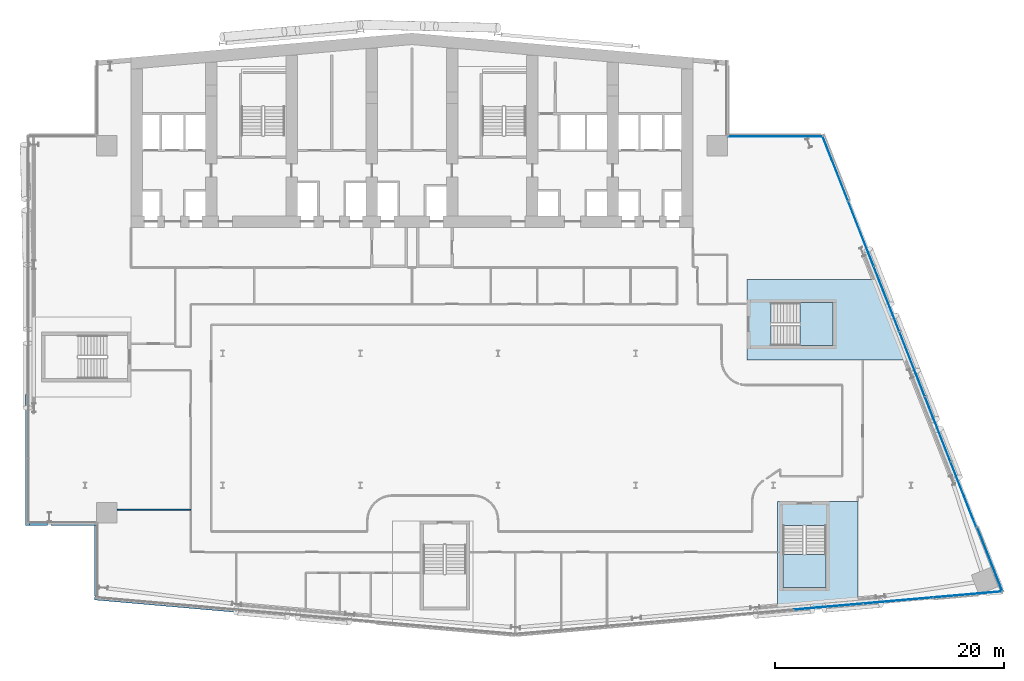
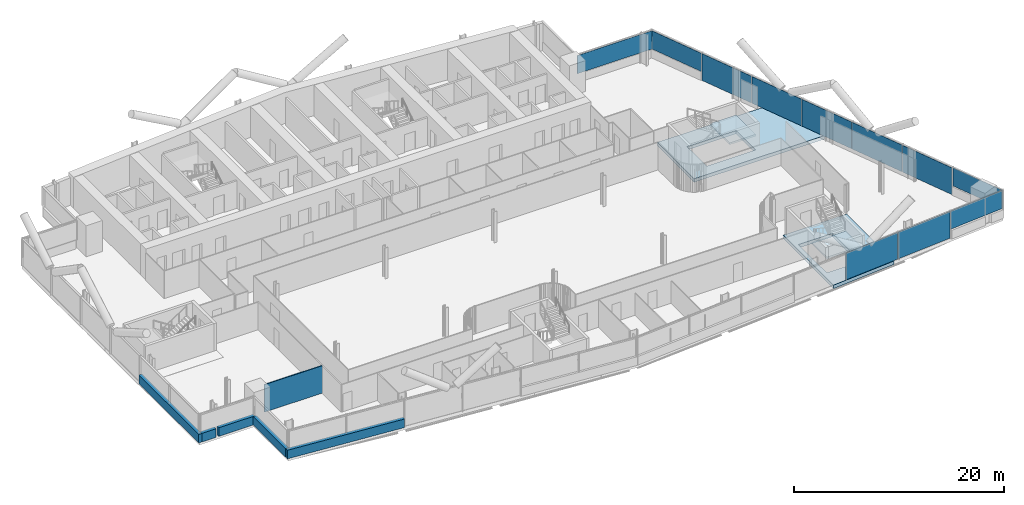
# One storey, part 13 of 31: 11 plates, 6 walls, 4 slabs, 5 elements without a shape of their own.
"""IFC4 building model written with IfcOpenShell, lengths in metres."""

from ifc_helpers import new_model, si_unit, direction, frame, frame_2d, origin, origin_2d, place, context, subcontext, project, spatial, polyline, rectangle, outline, extrude, material, layer, layer_set, type_object, element, aggregate, save


model = new_model("IFC4")

# Units and contexts
model_context = context("Model", 3, precision=1e-05, world=origin(), true_north=direction((0.0, 1.0)))
body_context = subcontext(model_context, "Body", "Model", "MODEL_VIEW")
ifc_project = project(units=[si_unit("LENGTHUNIT", "METRE"), si_unit("AREAUNIT", "SQUARE_METRE"), si_unit("VOLUMEUNIT", "CUBIC_METRE"), si_unit("PLANEANGLEUNIT", "RADIAN"), si_unit("MASSUNIT", "GRAM", prefix="KILO")], contexts=[model_context])

# Site, building, storey
site_placement = place(None, origin())
site = spatial("IfcSite", under=ifc_project, at=site_placement, CompositionType="ELEMENT")
building_placement = place(site_placement, origin())
building = spatial("IfcBuilding", under=site, at=building_placement, Name="Wharfspan Tower", CompositionType="ELEMENT")
storey_placement = place(building_placement, frame((0.0, 0.0, 103.899902)))
storey = spatial("IfcBuildingStorey", under=building, at=storey_placement, Name="L23", CompositionType="ELEMENT", Elevation=103.899902)

# Curtain wall, plate
ifc_material_1 = material(Name="Aluminium 6063-T6", Category="aluminium")
curtain_wall_type_1 = type_object("IfcCurtainWallType", Name="CURTAIN WALL FACETED FRONT", PredefinedType="NOTDEFINED", material=ifc_material_1)
curtain_wall_1_placement = place(storey_placement, origin())
curtain_wall_1 = element("IfcCurtainWall", 1, at=curtain_wall_1_placement, inside=storey, type_object=curtain_wall_type_1, Name="Curtain wall S2", PredefinedType="NOTDEFINED")
ifc_material_2 = material(Name="Glass clear low-iron double glazing", Category="glass")
ifc_layer_1 = layer(ifc_material_2, 0.040039)
ifc_layer_set_1 = layer_set([ifc_layer_1], Name="Glass clear low-iron double glazing")
plate_type_1 = type_object("IfcPlateType", Name="GLASS PANEL FACETED FRONT 40", PredefinedType="CURTAIN_PANEL", material=ifc_layer_set_1)
plate_1_placement = place(storey_placement, frame((88.944092, 1.99292, 1.0), z_axis=(0.0, 0.0, 1.0), x_axis=(0.996198, 0.087156, 0.0)))
plate_1 = element("IfcPlate", 2, at=plate_1_placement, type_object=plate_type_1, Name="Curtain wall S2 panel 7", PredefinedType="CURTAIN_PANEL", context=body_context, shape_type="SweptSolid", body=[
    extrude(rectangle(XDim=6.004639, YDim=0.040039, at=origin_2d()), origin(), (0.0, 0.0, 1.0), 2.120117),
])

# Curtain wall, plates
curtain_wall_type_2 = type_object("IfcCurtainWallType", Name="CURTAIN WALL PROW AND END", PredefinedType="NOTDEFINED", material=ifc_material_1)
curtain_wall_2_placement = place(storey_placement, origin())
curtain_wall_2 = element("IfcCurtainWall", 3, at=curtain_wall_2_placement, inside=storey, type_object=curtain_wall_type_2, Name="Curtain wall E", PredefinedType="NOTDEFINED")
ifc_layer_2 = layer(ifc_material_2, 0.040039)
ifc_layer_set_2 = layer_set([ifc_layer_2], Name="Glass clear low-iron double glazing")
plate_type_2 = type_object("IfcPlateType", Name="GLASS PANEL PROW AND END 40", PredefinedType="CURTAIN_PANEL", material=ifc_layer_set_2)
plate_2_placement = place(storey_placement, frame((90.877197, 5.056885, 1.0), z_axis=(0.0, 0.0, 1.0), x_axis=(-0.365778, 0.930702, 0.0)))
plate_2 = element("IfcPlate", 4, at=plate_2_placement, type_object=plate_type_2, Name="Curtain wall E panel 1", PredefinedType="CURTAIN_PANEL", context=body_context, shape_type="SweptSolid", body=[
    extrude(rectangle(XDim=6.019043, YDim=0.040039, at=origin_2d()), origin(), (0.0, 0.0, 1.0), 2.120117),
])
plate_3_placement = place(storey_placement, frame((77.406494, 39.114014, 1.0), z_axis=(0.0, 0.0, 1.0), x_axis=(-0.365778, 0.930702, 0.0)))
plate_3 = element("IfcPlate", 5, at=plate_3_placement, type_object=plate_type_2, Name="Curtain wall E panel 7", PredefinedType="CURTAIN_PANEL", context=body_context, shape_type="SweptSolid", body=[
    extrude(rectangle(XDim=6.019043, YDim=0.040039, at=origin_2d()), origin(), (0.0, 0.0, 1.0), 2.120117),
])

# Curtain wall, plate
curtain_wall_3_placement = place(storey_placement, origin())
curtain_wall_3 = element("IfcCurtainWall", 6, at=curtain_wall_3_placement, inside=storey, type_object=curtain_wall_type_2, Name="Curtain wall NRE-H", PredefinedType="NOTDEFINED")
plate_4_placement = place(storey_placement, frame((72.178955, 41.919922, 1.0), z_axis=(0.0, 0.0, 1.0), x_axis=(-1.0, 0.0, 0.0)))
plate_4 = element("IfcPlate", 7, at=plate_4_placement, type_object=plate_type_2, Name="Curtain wall NRE-H panel 1", PredefinedType="CURTAIN_PANEL", context=body_context, shape_type="SweptSolid", body=[
    extrude(rectangle(XDim=8.238037, YDim=0.040039, at=origin_2d()), origin(), (0.0, 0.0, 1.0), 2.120117),
])
aggregate(curtain_wall_3, [plate_4])

# Plate
ifc_material_3 = material(Name="Aluminium composite opaque insulated panel", Category="aluminium")
ifc_layer_3 = layer(ifc_material_3, 0.040039)
ifc_layer_set_3 = layer_set([ifc_layer_3], Name="Aluminium composite opaque insulated panel")
plate_type_3 = type_object("IfcPlateType", Name="INFILL PANEL FACETED FRONT OPAQUE 40", PredefinedType="SHEET", material=ifc_layer_set_3)
plate_5_placement = place(storey_placement, frame((76.816162, 0.931885, 0.0), z_axis=(0.0, 0.0, 1.0), x_axis=(0.996198, 0.087156, 0.0)))
plate_5 = element("IfcPlate", 8, at=plate_5_placement, type_object=plate_type_3, Name="Curtain wall S2 panel 5", PredefinedType="SHEET", context=body_context, shape_type="SweptSolid", body=[
    extrude(rectangle(XDim=6.034668, YDim=0.040039, at=origin_2d()), origin(), (0.0, 0.0, 1.0), 3.120117),
])

plate_6_placement = place(storey_placement, frame((82.887695, 1.462891, 0.0), z_axis=(0.0, 0.0, 1.0), x_axis=(0.996198, 0.087156, 0.0)))
plate_6 = element("IfcPlate", 9, at=plate_6_placement, type_object=plate_type_3, Name="Curtain wall S2 panel 6", PredefinedType="SHEET", context=body_context, shape_type="SweptSolid", body=[
    extrude(rectangle(XDim=6.034668, YDim=0.040039, at=origin_2d()), origin(), (0.0, 0.0, 1.0), 3.120117),
])

aggregate(curtain_wall_1, [plate_5, plate_6, plate_1])

ifc_layer_4 = layer(ifc_material_3, 0.040039)
ifc_layer_set_4 = layer_set([ifc_layer_4], Name="Aluminium composite opaque insulated panel")
plate_type_4 = type_object("IfcPlateType", Name="INFILL PANEL PROW AND END OPAQUE 40", PredefinedType="SHEET", material=ifc_layer_set_4)
plate_7_placement = place(storey_placement, frame((88.57373, 10.699219, 0.0), z_axis=(0.0, 0.0, 1.0), x_axis=(-0.365778, 0.930702, 0.0)))
plate_7 = element("IfcPlate", 10, at=plate_7_placement, type_object=plate_type_4, Name="Curtain wall E panel 2", PredefinedType="SHEET", context=body_context, shape_type="SweptSolid", body=[
    extrude(rectangle(XDim=6.049072, YDim=0.040039, at=origin_2d()), origin(), (0.0, 0.0, 1.0), 3.120117),
])

plate_8_placement = place(storey_placement, frame((86.339111, 16.38501, 0.0), z_axis=(0.0, 0.0, 1.0), x_axis=(-0.365778, 0.930702, 0.0)))
plate_8 = element("IfcPlate", 11, at=plate_8_placement, type_object=plate_type_4, Name="Curtain wall E panel 3", PredefinedType="SHEET", context=body_context, shape_type="SweptSolid", body=[
    extrude(rectangle(XDim=6.049072, YDim=0.040039, at=origin_2d()), origin(), (0.0, 0.0, 1.0), 3.120117),
])

plate_9_placement = place(storey_placement, frame((84.104492, 22.070801, 0.0), z_axis=(0.0, 0.0, 1.0), x_axis=(-0.365778, 0.930702, 0.0)))
plate_9 = element("IfcPlate", 12, at=plate_9_placement, type_object=plate_type_4, Name="Curtain wall E panel 4", PredefinedType="SHEET", context=body_context, shape_type="SweptSolid", body=[
    extrude(rectangle(XDim=6.049072, YDim=0.040039, at=origin_2d()), origin(), (0.0, 0.0, 1.0), 3.120117),
])

plate_10_placement = place(storey_placement, frame((81.870117, 27.756348, 0.0), z_axis=(0.0, 0.0, 1.0), x_axis=(-0.365778, 0.930702, 0.0)))
plate_10 = element("IfcPlate", 13, at=plate_10_placement, type_object=plate_type_4, Name="Curtain wall E panel 5", PredefinedType="SHEET", context=body_context, shape_type="SweptSolid", body=[
    extrude(rectangle(XDim=6.049072, YDim=0.040039, at=origin_2d()), origin(), (0.0, 0.0, 1.0), 3.120117),
])

plate_11_placement = place(storey_placement, frame((79.635498, 33.442139, 0.0), z_axis=(0.0, 0.0, 1.0), x_axis=(-0.365778, 0.930702, 0.0)))
plate_11 = element("IfcPlate", 14, at=plate_11_placement, type_object=plate_type_4, Name="Curtain wall E panel 6", PredefinedType="SHEET", context=body_context, shape_type="SweptSolid", body=[
    extrude(rectangle(XDim=6.049072, YDim=0.040039, at=origin_2d()), origin(), (0.0, 0.0, 1.0), 3.120117),
])

aggregate(curtain_wall_2, [plate_2, plate_7, plate_8, plate_9, plate_10, plate_11, plate_3])

# Slabs
ifc_material_4 = material(Name="Concrete C40/50", Category="concrete")
ifc_layer_5 = layer(ifc_material_4, 0.399902)
ifc_layer_set_5 = layer_set([ifc_layer_5], Name="Concrete C40/50")
slab_type_1 = type_object("IfcSlabType", Name="Post-tensioned flat slab 400", PredefinedType="FLOOR", material=ifc_layer_set_5)
slab_1_placement = place(storey_placement, frame((0.0, 0.0, -0.400146)))
element("IfcSlab", 15, at=slab_1_placement, inside=storey, type_object=slab_type_1, Name="Core floor slab L23 part 5", PredefinedType="FLOOR", context=body_context, shape_type="SweptSolid", body=[
    extrude(outline(polyline([(79.365967, 10.094727), (76.891113, 10.094727), (72.541016, 10.094727), (72.365967, 10.094727), (72.365967, 0.482178), (79.365967, 1.094727), (79.365967, 10.094727)]), holes=[polyline([(76.591064, 7.996582), (76.591309, 7.996582), (76.591309, 7.996582), (76.591553, 7.996582), (76.591797, 7.996582), (76.591797, 7.996338), (76.592041, 7.996338), (76.592285, 7.996094), (76.592285, 7.996094), (76.592529, 7.99585), (76.592773, 7.99585), (76.592773, 7.995605), (76.593018, 7.995361), (76.593018, 7.995117), (76.593018, 7.995117), (76.593018, 7.994873), (76.593018, 7.994629), (76.593018, 2.594727), (76.593018, 2.594482), (76.593018, 2.594238), (76.593018, 2.593994), (76.593018, 2.593994), (76.592773, 2.59375), (76.592773, 2.593506), (76.592529, 2.593506), (76.592285, 2.593262), (76.592285, 2.593018), (76.592041, 2.593018), (76.591797, 2.593018), (76.591797, 2.592773), (76.591553, 2.592773), (76.591309, 2.592773), (76.591309, 2.592773), (76.591064, 2.592773), (72.841064, 2.592773), (72.84082, 2.592773), (72.840576, 2.592773), (72.840332, 2.592773), (72.840088, 2.592773), (72.840088, 2.593018), (72.839844, 2.593018), (72.8396, 2.593018), (72.8396, 2.593262), (72.8396, 2.593506), (72.839355, 2.593506), (72.839111, 2.59375), (72.839111, 2.593994), (72.839111, 2.593994), (72.839111, 2.594238), (72.839111, 2.594482), (72.839111, 2.594727), (72.839111, 7.994629), (72.839111, 7.994873), (72.839111, 7.995117), (72.839111, 7.995117), (72.839111, 7.995361), (72.839111, 7.995605), (72.839355, 7.99585), (72.8396, 7.99585), (72.8396, 7.996094), (72.8396, 7.996094), (72.839844, 7.996338), (72.840088, 7.996338), (72.840088, 7.996582), (72.840332, 7.996582), (72.840576, 7.996582), (72.84082, 7.996582), (72.841064, 7.996582), (76.591064, 7.996582)])]), origin(), (0.0, 0.0, 1.0), 0.400146),
])
slab_2_placement = place(storey_placement, frame((0.0, 0.0, -0.400146)))
element("IfcSlab", 16, at=slab_2_placement, inside=storey, type_object=slab_type_1, Name="Core floor slab L23 part 6", PredefinedType="FLOOR", context=body_context, shape_type="SweptSolid", body=[
    extrude(outline(polyline([(81.290283, 29.449951), (69.69043, 29.449951), (69.69043, 27.725098), (69.69043, 23.375), (69.69043, 22.449951), (84.041504, 22.449951), (81.290283, 29.449951)]), holes=[polyline([(71.790283, 23.673096), (71.790283, 23.673096), (71.790039, 23.673096), (71.789795, 23.673096), (71.789551, 23.673096), (71.789551, 23.673096), (71.789307, 23.67334), (71.789062, 23.673584), (71.789062, 23.673584), (71.788818, 23.673584), (71.788818, 23.673828), (71.788574, 23.674072), (71.788574, 23.674316), (71.788574, 23.674316), (71.78833, 23.674561), (71.78833, 23.674805), (71.78833, 23.675049), (71.78833, 27.425049), (71.78833, 27.425293), (71.78833, 27.425293), (71.788574, 27.425537), (71.788574, 27.425781), (71.788574, 27.425781), (71.788818, 27.426025), (71.788818, 27.42627), (71.789062, 27.426514), (71.789062, 27.426514), (71.789307, 27.426758), (71.789551, 27.426758), (71.789551, 27.426758), (71.789795, 27.427002), (71.790039, 27.427002), (71.790283, 27.427002), (71.790283, 27.427002), (77.19043, 27.427002), (77.190674, 27.427002), (77.190918, 27.427002), (77.190918, 27.427002), (77.191162, 27.426758), (77.191406, 27.426758), (77.191406, 27.426758), (77.19165, 27.426514), (77.191895, 27.426514), (77.191895, 27.42627), (77.192139, 27.426025), (77.192139, 27.425781), (77.192139, 27.425781), (77.192383, 27.425537), (77.192383, 27.425293), (77.192383, 27.425293), (77.192383, 27.425049), (77.192383, 23.675049), (77.192383, 23.674805), (77.192383, 23.674561), (77.192383, 23.674316), (77.192139, 23.674316), (77.192139, 23.674072), (77.192139, 23.673828), (77.191895, 23.673584), (77.191895, 23.673584), (77.19165, 23.673584), (77.191406, 23.67334), (77.191406, 23.673096), (77.191162, 23.673096), (77.190918, 23.673096), (77.190918, 23.673096), (77.190674, 23.673096), (77.19043, 23.673096), (71.790283, 23.673096)])]), origin(), (0.0, 0.0, 1.0), 0.400146),
])

# Stair, slab
stair_type = type_object("IfcStairType", Name="Half-turn stair 20 risers 180 mm", PredefinedType="HALF_TURN_STAIR", material=ifc_material_4)
stair_1_placement = place(storey_placement, origin())
stair_1 = element("IfcStair", 17, at=stair_1_placement, inside=storey, type_object=stair_type, Name="L23 stair ST5", PredefinedType="HALF_TURN_STAIR")
ifc_layer_6 = layer(ifc_material_4, 0.199951)
ifc_layer_set_6 = layer_set([ifc_layer_6], Name="Concrete C40/50")
slab_type_2 = type_object("IfcSlabType", Name="Stair landing 200", PredefinedType="LANDING", material=ifc_layer_set_6)
slab_3_placement = place(storey_placement, frame((0.0, 0.0, 1.599854)))
slab_3 = element("IfcSlab", 18, at=slab_3_placement, type_object=slab_type_2, Name="ST5 landing 1", PredefinedType="LANDING", context=body_context, shape_type="SweptSolid", body=[
    extrude(outline(polyline([(72.841064, 5.474609), (72.841064, 2.594727), (76.591064, 2.594727), (76.591064, 5.474609), (72.841064, 5.474609)])), origin(), (0.0, 0.0, 1.0), 0.200195),
])
aggregate(stair_1, [slab_3])

stair_2_placement = place(storey_placement, origin())
stair_2 = element("IfcStair", 19, at=stair_2_placement, inside=storey, type_object=stair_type, Name="L23 stair ST6", PredefinedType="HALF_TURN_STAIR")
slab_4_placement = place(storey_placement, frame((0.0, 0.0, 1.599854)))
slab_4 = element("IfcSlab", 20, at=slab_4_placement, type_object=slab_type_2, Name="ST6 landing 1", PredefinedType="LANDING", context=body_context, shape_type="SweptSolid", body=[
    extrude(outline(polyline([(74.310303, 23.675049), (77.19043, 23.675049), (77.19043, 27.425049), (74.310303, 27.425049), (74.310303, 23.675049)])), origin(), (0.0, 0.0, 1.0), 0.200195),
])
aggregate(stair_2, [slab_4])

# Walls
ifc_material_5 = material(Name="Gypsum board on steel studs", Category="steel")
ifc_layer_7 = layer(ifc_material_5, 0.100098)
ifc_layer_set_7 = layer_set([ifc_layer_7], Name="Gypsum board on steel studs")
wall_type_1 = type_object("IfcWallType", Name="Compartment wall 100 EI 60", PredefinedType="PARTITIONING", material=ifc_layer_set_7)
wall_1_placement = place(storey_placement, frame((14.810059, 9.370117, 0.0), z_axis=(0.0, 0.0, 1.0), x_axis=(1.0, 0.0, 0.0)))
element("IfcWall", 21, at=wall_1_placement, inside=storey, type_object=wall_type_1, Name="Partition L23.w003", PredefinedType="PARTITIONING", context=body_context, shape_type="SweptSolid", body=[
    extrude(rectangle(XDim=6.389893, YDim=0.100098, at=frame_2d((3.194824, 0.0))), origin(), (0.0, 0.0, 1.0), 3.200195),
])
ifc_layer_8 = layer(ifc_material_4, 0.350098)
ifc_layer_set_8 = layer_set([ifc_layer_8], Name="Concrete C40/50")
wall_type_2 = type_object("IfcWallType", Name="SPANDREL EXPOSED CONCRETE 350", PredefinedType="SOLIDWALL", material=ifc_layer_set_8)
wall_2_placement = place(storey_placement, frame((12.835205, 1.68457, 0.0), z_axis=(0.0, 0.0, 1.0), x_axis=(0.996192, -0.087173, 0.0)))
element("IfcWall", 22, at=wall_2_placement, inside=storey, type_object=wall_type_2, Name="Spandrel upstand L23 S1 1", PredefinedType="SOLIDWALL", context=body_context, shape_type="SweptSolid", body=[
    extrude(rectangle(XDim=12.348145, YDim=0.350098, at=frame_2d((6.174072, 0.0))), origin(), (0.0, 0.0, 1.0), 1.0),
])
wall_3_placement = place(storey_placement, frame((6.995117, 19.436768, 0.0), z_axis=(0.0, 0.0, 1.0), x_axis=(0.0, -1.0, 0.0)))
element("IfcWall", 23, at=wall_3_placement, inside=storey, type_object=wall_type_2, Name="Spandrel upstand L23 W", PredefinedType="SOLIDWALL", context=body_context, shape_type="SweptSolid", body=[
    extrude(rectangle(XDim=11.416748, YDim=0.350098, at=frame_2d((5.708496, 0.0))), origin(), (0.0, 0.0, 1.0), 1.0),
])
wall_4_placement = place(storey_placement, frame((7.169922, 8.195068, 0.0), z_axis=(0.0, 0.0, 1.0), x_axis=(1.0, 0.0, 0.0)))
element("IfcWall", 24, at=wall_4_placement, inside=storey, type_object=wall_type_2, Name="Spandrel upstand L23 NFW-H", PredefinedType="SOLIDWALL", context=body_context, shape_type="SweptSolid", body=[
    extrude(rectangle(XDim=1.563232, YDim=0.350098, at=frame_2d((0.781738, 0.0))), origin(), (0.0, 0.0, 1.0), 1.0),
])
wall_5_placement = place(storey_placement, frame((9.036133, 8.195068, 0.0), z_axis=(0.0, 0.0, 1.0), x_axis=(1.0, 0.0, 0.0)))
element("IfcWall", 25, at=wall_5_placement, inside=storey, type_object=wall_type_2, Name="Spandrel upstand L23 NFW-H 2", PredefinedType="SOLIDWALL", context=body_context, shape_type="SweptSolid", body=[
    extrude(rectangle(XDim=3.963867, YDim=0.350098, at=frame_2d((1.981934, 0.0))), origin(), (0.0, 0.0, 1.0), 1.0),
])
wall_6_placement = place(storey_placement, frame((12.995117, 8.02002, 0.0), z_axis=(0.0, 0.0, 1.0), x_axis=(0.0, -1.0, 0.0)))
element("IfcWall", 26, at=wall_6_placement, inside=storey, type_object=wall_type_2, Name="Spandrel upstand L23 NFW-V", PredefinedType="SOLIDWALL", context=body_context, shape_type="SweptSolid", body=[
    extrude(rectangle(XDim=6.161133, YDim=0.350098, at=frame_2d((3.080566, 0.0))), origin(), (0.0, 0.0, 1.0), 1.0),
])

save(model, "model.ifc")
